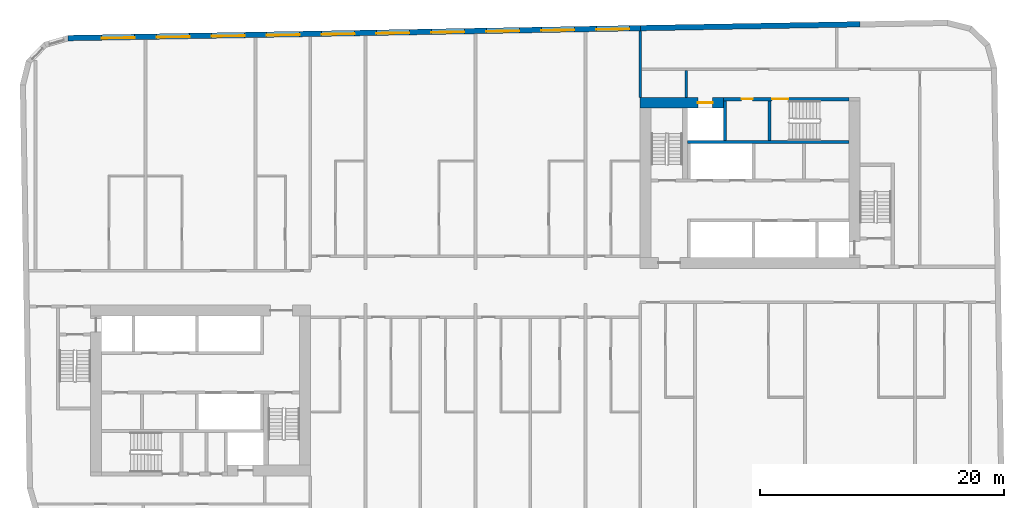
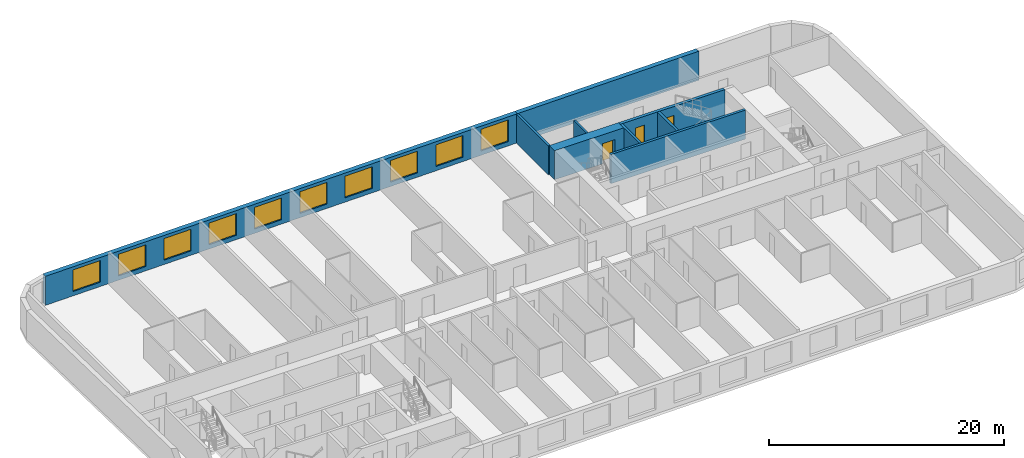
# One storey, part 6 of 11: 10 windows, 9 walls, 3 doors, 13 openings.
"""IFC4 building model written with IfcOpenShell, lengths in metres."""

from ifc_helpers import new_model, si_unit, direction, frame, frame_2d, origin, place, context, subcontext, project, spatial, rectangle, extrude, material, layer, layer_set, type_object, element, fill, save


model = new_model("IFC4")

# Units and contexts
model_context = context("Model", 3, precision=1e-05, world=origin(), true_north=direction((0.0, 1.0)))
body_context = subcontext(model_context, "Body", "Model", "MODEL_VIEW")
ifc_project = project(units=[si_unit("LENGTHUNIT", "METRE"), si_unit("AREAUNIT", "SQUARE_METRE"), si_unit("VOLUMEUNIT", "CUBIC_METRE"), si_unit("PLANEANGLEUNIT", "RADIAN"), si_unit("MASSUNIT", "GRAM", prefix="KILO")], contexts=[model_context])

# Site, building, storey
site_placement = place(None, origin())
site = spatial("IfcSite", under=ifc_project, at=site_placement, CompositionType="ELEMENT")
building_placement = place(site_placement, origin())
building = spatial("IfcBuilding", under=site, at=building_placement, Name="Kajstack Hotel Tower", CompositionType="ELEMENT")
storey_placement = place(building_placement, frame((0.0, 0.0, 244.10009765625)))
storey = spatial("IfcBuildingStorey", under=building, at=storey_placement, Name="L60", CompositionType="ELEMENT", Elevation=244.10009765625)

# Wall, opening, door
ifc_material_1 = material(Name="Concrete C60/75", Category="concrete")
ifc_layer_1 = layer(ifc_material_1, 0.89990234375)
ifc_layer_set_1 = layer_set([ifc_layer_1], Name="Core wall 900")
wall_type_1 = type_object("IfcWallType", Name="Core wall 900", PredefinedType="SHEAR", material=ifc_layer_set_1)
wall_1_placement = place(storey_placement, frame((13.5, 15.050048828125, 0.0), z_axis=(0.0, 0.0, 1.0), x_axis=(1.0, 0.0, 0.0)))
wall_1 = element("IfcWall", 1, at=wall_1_placement, inside=storey, type_object=wall_type_1, Name="Core wall E RS", PredefinedType="SHEAR", context=body_context, shape_type="SweptSolid", body=[
    extrude(rectangle(XDim=6.800048828125, YDim=0.89990234375, at=frame_2d((3.39990234375, 0.0))), origin(), (0.0, 0.0, 1.0), 3.02001953125),
])
opening_1_placement = place(wall_1_placement, frame((4.72509765625, 0.0, 0.0)))
opening_1 = element("IfcOpeningElement", 2, at=opening_1_placement, cuts=wall_1, Name="Opening LD-SV2", PredefinedType="OPENING", context=body_context, shape_type="SweptSolid", body=[
    extrude(rectangle(XDim=1.199951171875, YDim=2.10009765625, at=frame_2d((0.60009765625, 1.050048828125))), frame((0.0, 0.4599609375, 0.0), z_axis=(0.0, -1.0, 0.0), x_axis=(1.0, 0.0, 0.0)), (0.0, 0.0, 1.0), 0.919921875),
])
ifc_material_2 = material(Name="Stainless steel", Category="steel")
door_type_1 = type_object("IfcDoorType", Name="Lift landing door 1200", OperationType="SLIDING_TO_LEFT", PredefinedType="DOOR", material=ifc_material_2)
door_1_placement = place(opening_1_placement, origin())
door_1 = element("IfcDoor", 3, at=door_1_placement, inside=storey, type_object=door_type_1, Name="Landing door SV2", OperationType="SLIDING_TO_LEFT", OverallHeight=2.10009765625, OverallWidth=1.199951171875, PredefinedType="DOOR", context=body_context, shape_type="SweptSolid", body=[
    extrude(rectangle(XDim=1.199951171875, YDim=2.10009765625, at=frame_2d((0.60009765625, 1.050048828125))), frame((0.0, 0.02490234375, 0.0), z_axis=(0.0, -1.0, 0.0), x_axis=(1.0, 0.0, 0.0)), (0.0, 0.0, 1.0), 0.050048828125),
])
fill(opening_1, door_1)

# Walls
ifc_material_3 = material(Name="Twin-frame gypsum board on steel studs, mineral wool", Category="steel")
ifc_layer_2 = layer(ifc_material_3, 0.199951171875)
ifc_layer_set_2 = layer_set([ifc_layer_2], Name="Demising wall 200")
wall_type_2 = type_object("IfcWallType", Name="Demising wall 200", PredefinedType="PARTITIONING", material=ifc_layer_set_2)
wall_2_placement = place(storey_placement, frame((13.5, 15.5, 0.0), z_axis=(0.0, 0.0, 1.0), x_axis=(0.0, 1.0, 0.0)))
element("IfcWall", 4, at=wall_2_placement, inside=storey, type_object=wall_type_2, Name="G-wall-L60-001", PredefinedType="PARTITIONING", context=body_context, shape_type="SweptSolid", body=[
    extrude(rectangle(XDim=5.43603515625, YDim=0.199951171875, at=frame_2d((2.718017578125, 0.0))), origin(), (0.0, 0.0, 1.0), 3.02001953125),
])
ifc_material_4 = material(Name="Concrete C40/50", Category="concrete")
ifc_layer_3 = layer(ifc_material_4, 0.449951171875)
ifc_layer_set_3 = layer_set([ifc_layer_3], Name="EW-CORE")
wall_type_3 = type_object("IfcWallType", Name="EW-CORE", PredefinedType="SOLIDWALL", material=ifc_layer_set_3)
wall_3_placement = place(storey_placement, frame((31.50390625, 21.4755859375, 0.0), z_axis=(0.0, 0.0, 1.0), x_axis=(-0.999847677887, -0.017453395744, 0.0)))
element("IfcWall", 5, at=wall_3_placement, inside=storey, type_object=wall_type_3, Name="E-wall-L60-12-01", PredefinedType="SOLIDWALL", context=body_context, shape_type="SweptSolid", body=[
    extrude(rectangle(XDim=18.002685546875, YDim=0.449951171875, at=frame_2d((9.00146484375, 0.0))), origin(), (0.0, 0.0, 1.0), 3.02001953125),
])

# Wall, openings, windows
ifc_material_5 = material(Name="Terracotta-faced brick masonry", Category="masonry")
ifc_layer_4 = layer(ifc_material_5, 0.449951171875)
ifc_layer_set_4 = layer_set([ifc_layer_4], Name="EW-TERRA")
wall_type_4 = type_object("IfcWallType", Name="EW-TERRA", PredefinedType="SOLIDWALL", material=ifc_layer_set_4)
wall_4_placement = place(storey_placement, frame((13.50390625, 21.161376953125, 0.0), z_axis=(0.0, 0.0, 1.0), x_axis=(-0.999847763257, -0.017448504532, 0.0)))
wall_4 = element("IfcWall", 6, at=wall_4_placement, inside=storey, type_object=wall_type_4, Name="E-wall-L60-12-02", PredefinedType="SOLIDWALL", context=body_context, shape_type="SweptSolid", body=[
    extrude(rectangle(XDim=46.859375, YDim=0.449951171875, at=frame_2d((23.4296875, 0.0))), origin(), (0.0, 0.0, 1.0), 3.02001953125),
])
opening_2_placement = place(wall_4_placement, frame((0.900390625, 0.0, 0.449951171875)))
opening_2 = element("IfcOpeningElement", 7, at=opening_2_placement, cuts=wall_4, Name="Opening W1", PredefinedType="OPENING", context=body_context, shape_type="SweptSolid", body=[
    extrude(rectangle(XDim=2.699951171875, YDim=2.25, at=frame_2d((1.35009765625, 1.125))), frame((0.0, 0.23486328125, 0.0), z_axis=(0.0, -1.0, 0.0), x_axis=(1.0, 0.0, 0.0)), (0.0, 0.0, 1.0), 0.469970703125),
])
opening_3_placement = place(wall_4_placement, frame((5.401123046875, 0.0, 0.449951171875)))
opening_3 = element("IfcOpeningElement", 8, at=opening_3_placement, cuts=wall_4, Name="Opening W1", PredefinedType="OPENING", context=body_context, shape_type="SweptSolid", body=[
    extrude(rectangle(XDim=2.699951171875, YDim=2.25, at=frame_2d((1.35009765625, 1.125))), frame((0.0, 0.23486328125, 0.0), z_axis=(0.0, -1.0, 0.0), x_axis=(1.0, 0.0, 0.0)), (0.0, 0.0, 1.0), 0.469970703125),
])
opening_4_placement = place(wall_4_placement, frame((9.90185546875, 0.0, 0.449951171875)))
opening_4 = element("IfcOpeningElement", 9, at=opening_4_placement, cuts=wall_4, Name="Opening W1", PredefinedType="OPENING", context=body_context, shape_type="SweptSolid", body=[
    extrude(rectangle(XDim=2.699951171875, YDim=2.25, at=frame_2d((1.35009765625, 1.125))), frame((0.0, 0.23486328125, 0.0), z_axis=(0.0, -1.0, 0.0), x_axis=(1.0, 0.0, 0.0)), (0.0, 0.0, 1.0), 0.469970703125),
])
opening_5_placement = place(wall_4_placement, frame((14.40234375, 0.0, 0.449951171875)))
opening_5 = element("IfcOpeningElement", 10, at=opening_5_placement, cuts=wall_4, Name="Opening W1", PredefinedType="OPENING", context=body_context, shape_type="SweptSolid", body=[
    extrude(rectangle(XDim=2.699951171875, YDim=2.25, at=frame_2d((1.35009765625, 1.125))), frame((0.0, 0.23486328125, 0.0), z_axis=(0.0, -1.0, 0.0), x_axis=(1.0, 0.0, 0.0)), (0.0, 0.0, 1.0), 0.469970703125),
])
opening_6_placement = place(wall_4_placement, frame((18.9033203125, 0.0, 0.449951171875)))
opening_6 = element("IfcOpeningElement", 11, at=opening_6_placement, cuts=wall_4, Name="Opening W1", PredefinedType="OPENING", context=body_context, shape_type="SweptSolid", body=[
    extrude(rectangle(XDim=2.699951171875, YDim=2.25, at=frame_2d((1.35009765625, 1.125))), frame((0.0, 0.23486328125, 0.0), z_axis=(0.0, -1.0, 0.0), x_axis=(1.0, 0.0, 0.0)), (0.0, 0.0, 1.0), 0.469970703125),
])
opening_7_placement = place(wall_4_placement, frame((23.40380859375, 0.0, 0.449951171875)))
opening_7 = element("IfcOpeningElement", 12, at=opening_7_placement, cuts=wall_4, Name="Opening W1", PredefinedType="OPENING", context=body_context, shape_type="SweptSolid", body=[
    extrude(rectangle(XDim=2.699951171875, YDim=2.25, at=frame_2d((1.35009765625, 1.125))), frame((0.0, 0.23486328125, 0.0), z_axis=(0.0, -1.0, 0.0), x_axis=(1.0, 0.0, 0.0)), (0.0, 0.0, 1.0), 0.469970703125),
])
opening_8_placement = place(wall_4_placement, frame((27.904296875, 0.0, 0.449951171875)))
opening_8 = element("IfcOpeningElement", 13, at=opening_8_placement, cuts=wall_4, Name="Opening W1", PredefinedType="OPENING", context=body_context, shape_type="SweptSolid", body=[
    extrude(rectangle(XDim=2.699951171875, YDim=2.25, at=frame_2d((1.35009765625, 1.125))), frame((0.0, 0.23486328125, 0.0), z_axis=(0.0, -1.0, 0.0), x_axis=(1.0, 0.0, 0.0)), (0.0, 0.0, 1.0), 0.469970703125),
])
opening_9_placement = place(wall_4_placement, frame((32.4052734375, 0.0, 0.449951171875)))
opening_9 = element("IfcOpeningElement", 14, at=opening_9_placement, cuts=wall_4, Name="Opening W1", PredefinedType="OPENING", context=body_context, shape_type="SweptSolid", body=[
    extrude(rectangle(XDim=2.699951171875, YDim=2.25, at=frame_2d((1.35009765625, 1.125))), frame((0.0, 0.23486328125, 0.0), z_axis=(0.0, -1.0, 0.0), x_axis=(1.0, 0.0, 0.0)), (0.0, 0.0, 1.0), 0.469970703125),
])
opening_10_placement = place(wall_4_placement, frame((36.906005859375, 0.0, 0.449951171875)))
opening_10 = element("IfcOpeningElement", 15, at=opening_10_placement, cuts=wall_4, Name="Opening W1", PredefinedType="OPENING", context=body_context, shape_type="SweptSolid", body=[
    extrude(rectangle(XDim=2.699951171875, YDim=2.25, at=frame_2d((1.35009765625, 1.125))), frame((0.0, 0.23486328125, 0.0), z_axis=(0.0, -1.0, 0.0), x_axis=(1.0, 0.0, 0.0)), (0.0, 0.0, 1.0), 0.469970703125),
])
opening_11_placement = place(wall_4_placement, frame((41.406494140625, 0.0, 0.449951171875)))
opening_11 = element("IfcOpeningElement", 16, at=opening_11_placement, cuts=wall_4, Name="Opening W1", PredefinedType="OPENING", context=body_context, shape_type="SweptSolid", body=[
    extrude(rectangle(XDim=2.699951171875, YDim=2.25, at=frame_2d((1.35009765625, 1.125))), frame((0.0, 0.23486328125, 0.0), z_axis=(0.0, -1.0, 0.0), x_axis=(1.0, 0.0, 0.0)), (0.0, 0.0, 1.0), 0.469970703125),
])
ifc_material_6 = material(Name="Timber-aluminium window, triple glazed", Category="wood")
window_type = type_object("IfcWindowType", Name="WG1", PartitioningType="SINGLE_PANEL", PredefinedType="WINDOW", material=ifc_material_6)
window_1_placement = place(opening_2_placement, origin())
window_1 = element("IfcWindow", 17, at=window_1_placement, inside=storey, type_object=window_type, Name="Window W1 L60-12", OverallHeight=2.25, OverallWidth=2.699951171875, PartitioningType="SINGLE_PANEL", PredefinedType="WINDOW", context=body_context, shape_type="SweptSolid", body=[
    extrude(rectangle(XDim=2.699951171875, YDim=2.25, at=frame_2d((1.35009765625, 1.125))), frame((0.0, 0.090087890625, 0.0), z_axis=(0.0, -1.0, 0.0), x_axis=(1.0, 0.0, 0.0)), (0.0, 0.0, 1.0), 0.06005859375),
])
fill(opening_2, window_1)
window_2_placement = place(opening_3_placement, origin())
window_2 = element("IfcWindow", 18, at=window_2_placement, inside=storey, type_object=window_type, Name="Window W1 L60-12", OverallHeight=2.25, OverallWidth=2.699951171875, PartitioningType="SINGLE_PANEL", PredefinedType="WINDOW", context=body_context, shape_type="SweptSolid", body=[
    extrude(rectangle(XDim=2.699951171875, YDim=2.25, at=frame_2d((1.35009765625, 1.125))), frame((0.0, 0.090087890625, 0.0), z_axis=(0.0, -1.0, 0.0), x_axis=(1.0, 0.0, 0.0)), (0.0, 0.0, 1.0), 0.06005859375),
])
fill(opening_3, window_2)
window_3_placement = place(opening_4_placement, origin())
window_3 = element("IfcWindow", 19, at=window_3_placement, inside=storey, type_object=window_type, Name="Window W1 L60-12", OverallHeight=2.25, OverallWidth=2.699951171875, PartitioningType="SINGLE_PANEL", PredefinedType="WINDOW", context=body_context, shape_type="SweptSolid", body=[
    extrude(rectangle(XDim=2.699951171875, YDim=2.25, at=frame_2d((1.35009765625, 1.125))), frame((0.0, 0.090087890625, 0.0), z_axis=(0.0, -1.0, 0.0), x_axis=(1.0, 0.0, 0.0)), (0.0, 0.0, 1.0), 0.06005859375),
])
fill(opening_4, window_3)
window_4_placement = place(opening_5_placement, origin())
window_4 = element("IfcWindow", 20, at=window_4_placement, inside=storey, type_object=window_type, Name="Window W1 L60-12", OverallHeight=2.25, OverallWidth=2.699951171875, PartitioningType="SINGLE_PANEL", PredefinedType="WINDOW", context=body_context, shape_type="SweptSolid", body=[
    extrude(rectangle(XDim=2.699951171875, YDim=2.25, at=frame_2d((1.35009765625, 1.125))), frame((0.0, 0.090087890625, 0.0), z_axis=(0.0, -1.0, 0.0), x_axis=(1.0, 0.0, 0.0)), (0.0, 0.0, 1.0), 0.06005859375),
])
fill(opening_5, window_4)
window_5_placement = place(opening_6_placement, origin())
window_5 = element("IfcWindow", 21, at=window_5_placement, inside=storey, type_object=window_type, Name="Window W1 L60-12", OverallHeight=2.25, OverallWidth=2.699951171875, PartitioningType="SINGLE_PANEL", PredefinedType="WINDOW", context=body_context, shape_type="SweptSolid", body=[
    extrude(rectangle(XDim=2.699951171875, YDim=2.25, at=frame_2d((1.35009765625, 1.125))), frame((0.0, 0.090087890625, 0.0), z_axis=(0.0, -1.0, 0.0), x_axis=(1.0, 0.0, 0.0)), (0.0, 0.0, 1.0), 0.06005859375),
])
fill(opening_6, window_5)
window_6_placement = place(opening_7_placement, origin())
window_6 = element("IfcWindow", 22, at=window_6_placement, inside=storey, type_object=window_type, Name="Window W1 L60-12", OverallHeight=2.25, OverallWidth=2.699951171875, PartitioningType="SINGLE_PANEL", PredefinedType="WINDOW", context=body_context, shape_type="SweptSolid", body=[
    extrude(rectangle(XDim=2.699951171875, YDim=2.25, at=frame_2d((1.35009765625, 1.125))), frame((0.0, 0.090087890625, 0.0), z_axis=(0.0, -1.0, 0.0), x_axis=(1.0, 0.0, 0.0)), (0.0, 0.0, 1.0), 0.06005859375),
])
fill(opening_7, window_6)
window_7_placement = place(opening_8_placement, origin())
window_7 = element("IfcWindow", 23, at=window_7_placement, inside=storey, type_object=window_type, Name="Window W1 L60-12", OverallHeight=2.25, OverallWidth=2.699951171875, PartitioningType="SINGLE_PANEL", PredefinedType="WINDOW", context=body_context, shape_type="SweptSolid", body=[
    extrude(rectangle(XDim=2.699951171875, YDim=2.25, at=frame_2d((1.35009765625, 1.125))), frame((0.0, 0.090087890625, 0.0), z_axis=(0.0, -1.0, 0.0), x_axis=(1.0, 0.0, 0.0)), (0.0, 0.0, 1.0), 0.06005859375),
])
fill(opening_8, window_7)
window_8_placement = place(opening_9_placement, origin())
window_8 = element("IfcWindow", 24, at=window_8_placement, inside=storey, type_object=window_type, Name="Window W1 L60-12", OverallHeight=2.25, OverallWidth=2.699951171875, PartitioningType="SINGLE_PANEL", PredefinedType="WINDOW", context=body_context, shape_type="SweptSolid", body=[
    extrude(rectangle(XDim=2.699951171875, YDim=2.25, at=frame_2d((1.35009765625, 1.125))), frame((0.0, 0.090087890625, 0.0), z_axis=(0.0, -1.0, 0.0), x_axis=(1.0, 0.0, 0.0)), (0.0, 0.0, 1.0), 0.06005859375),
])
fill(opening_9, window_8)
window_9_placement = place(opening_10_placement, origin())
window_9 = element("IfcWindow", 25, at=window_9_placement, inside=storey, type_object=window_type, Name="Window W1 L60-12", OverallHeight=2.25, OverallWidth=2.699951171875, PartitioningType="SINGLE_PANEL", PredefinedType="WINDOW", context=body_context, shape_type="SweptSolid", body=[
    extrude(rectangle(XDim=2.699951171875, YDim=2.25, at=frame_2d((1.35009765625, 1.125))), frame((0.0, 0.090087890625, 0.0), z_axis=(0.0, -1.0, 0.0), x_axis=(1.0, 0.0, 0.0)), (0.0, 0.0, 1.0), 0.06005859375),
])
fill(opening_10, window_9)
window_10_placement = place(opening_11_placement, origin())
window_10 = element("IfcWindow", 26, at=window_10_placement, inside=storey, type_object=window_type, Name="Window W1 L60-12", OverallHeight=2.25, OverallWidth=2.699951171875, PartitioningType="SINGLE_PANEL", PredefinedType="WINDOW", context=body_context, shape_type="SweptSolid", body=[
    extrude(rectangle(XDim=2.699951171875, YDim=2.25, at=frame_2d((1.35009765625, 1.125))), frame((0.0, 0.090087890625, 0.0), z_axis=(0.0, -1.0, 0.0), x_axis=(1.0, 0.0, 0.0)), (0.0, 0.0, 1.0), 0.06005859375),
])
fill(opening_11, window_10)

# Wall
ifc_material_7 = material(Name="Gypsum board on steel studs, mineral wool", Category="steel")
ifc_layer_5 = layer(ifc_material_7, 0.199951171875)
ifc_layer_set_5 = layer_set([ifc_layer_5], Name="Service partition 200")
wall_type_5 = type_object("IfcWallType", Name="Service partition 200", PredefinedType="PARTITIONING", material=ifc_layer_set_5)
wall_5_placement = place(storey_placement, frame((17.25, 15.5, 0.0), z_axis=(0.0, 0.0, 1.0), x_axis=(0.0, 1.0, 0.0)))
element("IfcWall", 27, at=wall_5_placement, inside=storey, type_object=wall_type_5, Name="Partition E SCE", PredefinedType="PARTITIONING", context=body_context, shape_type="SweptSolid", body=[
    extrude(rectangle(XDim=2.199951171875, YDim=0.199951171875, at=frame_2d((1.10009765625, 0.0))), origin(), (0.0, 0.0, 1.0), 3.02001953125),
])

# Wall, openings, doors
ifc_material_8 = material(Name="Concrete C50/60", Category="concrete")
ifc_layer_6 = layer(ifc_material_8, 0.25)
ifc_layer_set_6 = layer_set([ifc_layer_6], Name="Shaft wall 250")
wall_type_6 = type_object("IfcWallType", Name="Shaft wall 250", PredefinedType="SHEAR", material=ifc_layer_set_6)
wall_6_placement = place(storey_placement, frame((20.300048828125, 15.35009765625, 0.0), z_axis=(0.0, 0.0, 1.0), x_axis=(1.0, 0.0, 0.0)))
wall_6 = element("IfcWall", 28, at=wall_6_placement, inside=storey, type_object=wall_type_6, Name="Core wall E RSS", PredefinedType="SHEAR", context=body_context, shape_type="SweptSolid", body=[
    extrude(rectangle(XDim=10.300048828125, YDim=0.300048828125, at=frame_2d((5.14990234375, 0.0))), origin(), (0.0, 0.0, 1.0), 3.02001953125),
])
opening_12_placement = place(wall_6_placement, frame((4.0, 0.0, 0.0)))
opening_12 = element("IfcOpeningElement", 29, at=opening_12_placement, cuts=wall_6, Name="Opening 60E12", PredefinedType="OPENING", context=body_context, shape_type="SweptSolid", body=[
    extrude(rectangle(XDim=1.300048828125, YDim=2.10009765625, at=frame_2d((0.64990234375, 1.050048828125))), frame((0.0, 0.159912109375, 0.0), z_axis=(0.0, -1.0, 0.0), x_axis=(1.0, 0.0, 0.0)), (0.0, 0.0, 1.0), 0.320068359375),
])
opening_13_placement = place(wall_6_placement, frame((1.5, 0.0, 0.0)))
opening_13 = element("IfcOpeningElement", 30, at=opening_13_placement, cuts=wall_6, Name="Opening 60E13", PredefinedType="OPENING", context=body_context, shape_type="SweptSolid", body=[
    extrude(rectangle(XDim=0.89990234375, YDim=2.10009765625, at=frame_2d((0.449951171875, 1.050048828125))), frame((0.0, 0.159912109375, 0.0), z_axis=(0.0, -1.0, 0.0), x_axis=(1.0, 0.0, 0.0)), (0.0, 0.0, 1.0), 0.320068359375),
])
ifc_material_9 = material(Name="Timber leaf, fire-rated", Category="wood")
door_type_2 = type_object("IfcDoorType", Name="Service door 900", OperationType="SINGLE_SWING_LEFT", PredefinedType="DOOR", material=ifc_material_9)
door_2_placement = place(opening_13_placement, origin())
door_2 = element("IfcDoor", 31, at=door_2_placement, inside=storey, type_object=door_type_2, Name="Door 60E13", OperationType="SINGLE_SWING_RIGHT", OverallHeight=2.10009765625, OverallWidth=0.89990234375, PredefinedType="DOOR", context=body_context, shape_type="SweptSolid", body=[
    extrude(rectangle(XDim=0.89990234375, YDim=2.10009765625, at=frame_2d((0.449951171875, 1.050048828125))), frame((0.0, 0.02490234375, 0.0), z_axis=(0.0, -1.0, 0.0), x_axis=(1.0, 0.0, 0.0)), (0.0, 0.0, 1.0), 0.050048828125),
])
fill(opening_13, door_2)
ifc_material_10 = material(Name="Steel leaf, fire-rated", Category="steel")
door_type_3 = type_object("IfcDoorType", Name="Stair door 1300", OperationType="SINGLE_SWING_LEFT", PredefinedType="DOOR", material=ifc_material_10)
door_3_placement = place(opening_12_placement, origin())
door_3 = element("IfcDoor", 32, at=door_3_placement, inside=storey, type_object=door_type_3, Name="Door 60E12", OperationType="SINGLE_SWING_LEFT", OverallHeight=2.10009765625, OverallWidth=1.300048828125, PredefinedType="DOOR", context=body_context, shape_type="SweptSolid", body=[
    extrude(rectangle(XDim=1.300048828125, YDim=2.10009765625, at=frame_2d((0.64990234375, 1.050048828125))), frame((0.0, 0.02490234375, 0.0), z_axis=(0.0, -1.0, 0.0), x_axis=(1.0, 0.0, 0.0)), (0.0, 0.0, 1.0), 0.050048828125),
])
fill(opening_12, door_3)

# Walls
wall_7_placement = place(storey_placement, frame((17.35009765625, 11.824951171875, 0.0), z_axis=(0.0, 0.0, 1.0), x_axis=(1.0, 0.0, 0.0)))
element("IfcWall", 33, at=wall_7_placement, inside=storey, type_object=wall_type_6, Name="Core wall E RB", PredefinedType="SHEAR", context=body_context, shape_type="SweptSolid", body=[
    extrude(rectangle(XDim=13.25, YDim=0.25, at=frame_2d((6.625, 0.0))), origin(), (0.0, 0.0, 1.0), 3.02001953125),
])
wall_8_placement = place(storey_placement, frame((20.425048828125, 11.949951171875, 0.0), z_axis=(0.0, 0.0, 1.0), x_axis=(0.0, 1.0, 0.0)))
element("IfcWall", 34, at=wall_8_placement, inside=storey, type_object=wall_type_6, Name="Core wall E SVW", PredefinedType="SHEAR", context=body_context, shape_type="SweptSolid", body=[
    extrude(rectangle(XDim=3.25, YDim=0.25, at=frame_2d((1.625, 0.0))), origin(), (0.0, 0.0, 1.0), 3.02001953125),
])
ifc_layer_7 = layer(ifc_material_8, 0.35009765625)
ifc_layer_set_7 = layer_set([ifc_layer_7], Name="Stair enclosure wall 350")
wall_type_7 = type_object("IfcWallType", Name="Stair enclosure wall 350", PredefinedType="SHEAR", material=ifc_layer_set_7)
wall_9_placement = place(storey_placement, frame((24.074951171875, 11.949951171875, 0.0), z_axis=(0.0, 0.0, 1.0), x_axis=(0.0, 1.0, 0.0)))
element("IfcWall", 35, at=wall_9_placement, inside=storey, type_object=wall_type_7, Name="Core wall E W3E", PredefinedType="SHEAR", context=body_context, shape_type="SweptSolid", body=[
    extrude(rectangle(XDim=3.25, YDim=0.25, at=frame_2d((1.625, 0.0))), origin(), (0.0, 0.0, 1.0), 3.02001953125),
])

save(model, "model.ifc")
